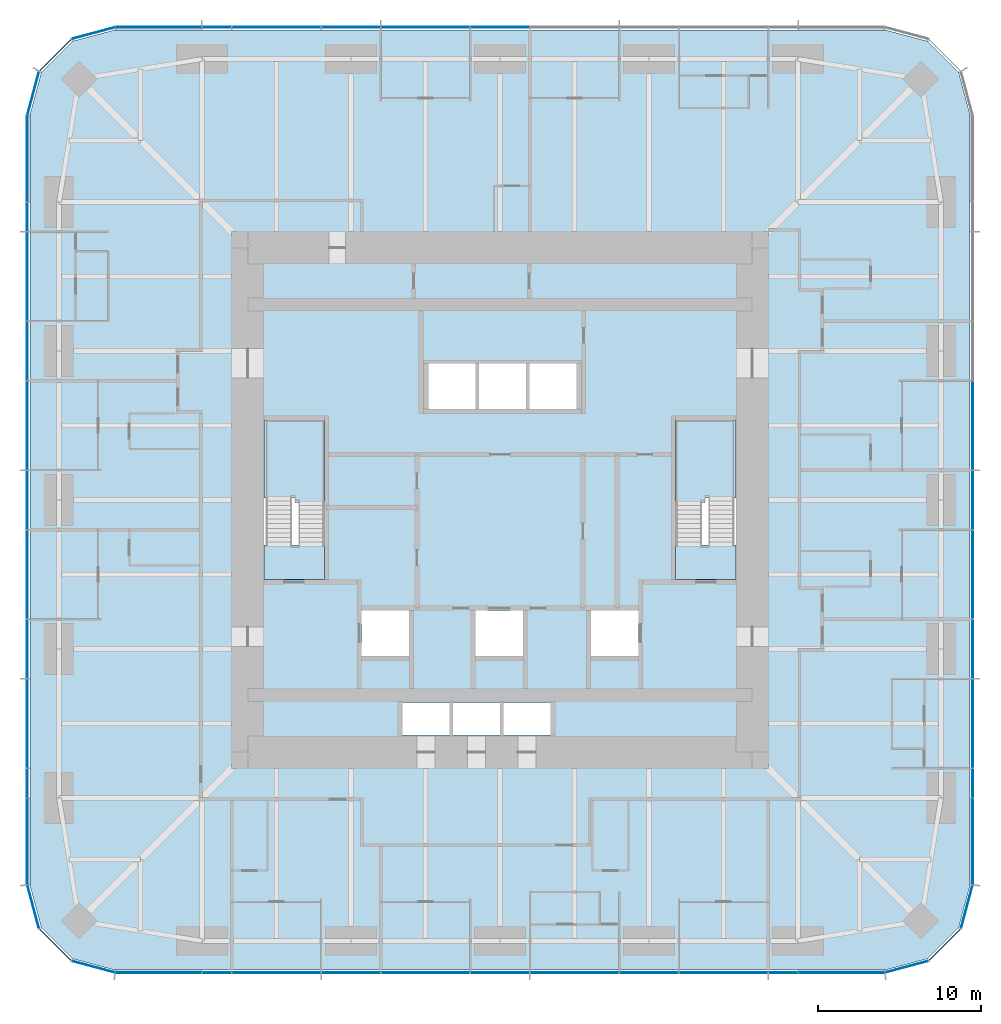
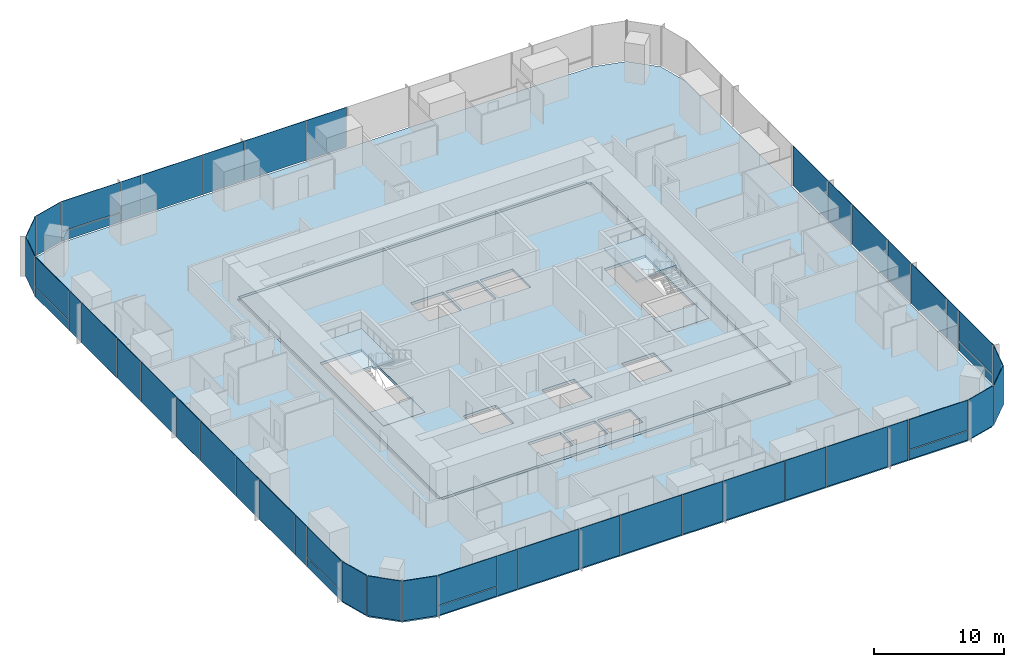
# One storey, part 7 of 13: 50 plates, 6 slabs, 9 elements without a shape of their own.
"""IFC4 building model written with IfcOpenShell, lengths in metres."""

from ifc_helpers import new_model, si_unit, direction, frame, origin, origin_2d, place, context, subcontext, project, spatial, polyline, rectangle, outline, extrude, material, layer, layer_set, type_object, element, aggregate, save


model = new_model("IFC4")

# Units and contexts
model_context = context("Model", 3, precision=1e-05, world=origin(), true_north=direction((0.0, 1.0)))
body_context = subcontext(model_context, "Body", "Model", "MODEL_VIEW")
ifc_project = project(units=[si_unit("LENGTHUNIT", "METRE"), si_unit("AREAUNIT", "SQUARE_METRE"), si_unit("VOLUMEUNIT", "CUBIC_METRE"), si_unit("PLANEANGLEUNIT", "RADIAN"), si_unit("MASSUNIT", "GRAM", prefix="KILO")], contexts=[model_context])

# Site, building, storey
site_placement = place(None, origin())
site = spatial("IfcSite", under=ifc_project, at=site_placement, CompositionType="ELEMENT")
building_placement = place(site_placement, origin())
building = spatial("IfcBuilding", under=site, at=building_placement, Name="Khuree Lantern Residences", CompositionType="ELEMENT")
storey_placement = place(building_placement, frame((0.0, 0.0, 133.5)))
storey = spatial("IfcBuildingStorey", under=building, at=storey_placement, Name="L33", CompositionType="ELEMENT", Elevation=133.5)

# Slab
ifc_material_1 = material(Name="Concrete C35/45", Category="concrete")
ifc_layer_1 = layer(ifc_material_1, 0.25)
ifc_layer_set_1 = layer_set([ifc_layer_1], Name="CFL250 CORE FLOOR SLAB 250")
slab_type_1 = type_object("IfcSlabType", Name="CFL250 CORE FLOOR SLAB 250", PredefinedType="FLOOR", material=ifc_layer_set_1)
slab_1_placement = place(storey_placement, frame((0.0, 0.0, -0.25)))
element("IfcSlab", 1, at=slab_1_placement, inside=storey, type_object=slab_type_1, Name="Core floor L33", PredefinedType="FLOOR", context=body_context, shape_type="SweptSolid", body=[
    extrude(outline(polyline([(-15.5, -15.5), (-15.5, 15.5), (15.5, 15.5), (15.5, -15.5), (-15.5, -15.5)]), holes=[polyline([(10.800048828125, 4.89990234375), (10.800048828125, -4.89990234375), (14.5, -4.89990234375), (14.5, 4.89990234375), (10.800048828125, 4.89990234375)]), polyline([(8.5, -6.800048828125), (5.60009765625, -6.800048828125), (5.60009765625, -9.60009765625), (8.5, -9.60009765625), (8.5, -6.800048828125)]), polyline([(4.699951171875, 8.39990234375), (1.800048828125, 8.39990234375), (1.800048828125, 5.60009765625), (4.699951171875, 5.60009765625), (4.699951171875, 8.39990234375)]), polyline([(3.10009765625, -12.449951171875), (0.199951171875, -12.449951171875), (0.199951171875, -14.449951171875), (3.10009765625, -14.449951171875), (3.10009765625, -12.449951171875)]), polyline([(1.60009765625, 8.39990234375), (-1.300048828125, 8.39990234375), (-1.300048828125, 5.60009765625), (1.60009765625, 5.60009765625), (1.60009765625, 8.39990234375)]), polyline([(1.39990234375, -6.800048828125), (-1.5, -6.800048828125), (-1.5, -9.60009765625), (1.39990234375, -9.60009765625), (1.39990234375, -6.800048828125)]), polyline([(-2.89990234375, -12.449951171875), (-2.89990234375, -14.449951171875), (0.0, -14.449951171875), (0.0, -12.449951171875), (-2.89990234375, -12.449951171875)]), polyline([(-4.39990234375, 8.39990234375), (-4.39990234375, 5.60009765625), (-1.5, 5.60009765625), (-1.5, 8.39990234375), (-4.39990234375, 8.39990234375)]), polyline([(-6.0, -12.449951171875), (-6.0, -14.449951171875), (-3.10009765625, -14.449951171875), (-3.10009765625, -12.449951171875), (-6.0, -12.449951171875)]), polyline([(-8.5, -6.800048828125), (-8.5, -9.60009765625), (-5.60009765625, -9.60009765625), (-5.60009765625, -6.800048828125), (-8.5, -6.800048828125)]), polyline([(-10.800048828125, 4.89990234375), (-14.5, 4.89990234375), (-14.5, -4.89990234375), (-10.800048828125, -4.89990234375), (-10.800048828125, 4.89990234375)])]), origin(), (0.0, 0.0, 1.0), 0.25),
])

# Curtain wall, plates
ifc_material_2 = material(Name="Bronze anodised aluminium", Category="aluminium")
curtain_wall_type_1 = type_object("IfcCurtainWallType", Name="CW-T2 TOWER CORNER CURTAIN WALL", PredefinedType="USERDEFINED", material=ifc_material_2)
curtain_wall_1_placement = place(storey_placement, origin())
curtain_wall_1 = element("IfcCurtainWall", 2, at=curtain_wall_1_placement, inside=storey, type_object=curtain_wall_type_1, Name="L33 SOUTH-EAST CORNER CURTAIN WALL", ObjectType="Faceted corner curtain wall", PredefinedType="USERDEFINED")
ifc_material_3 = material(Name="Bronze tinted triple glazing", Category="glass")
ifc_layer_2 = layer(ifc_material_3, 0.048095703125)
ifc_layer_set_2 = layer_set([ifc_layer_2], Name="FACET PANEL P4")
plate_type_1 = type_object("IfcPlateType", Name="FACET PANEL P4", PredefinedType="CURTAIN_PANEL", material=ifc_layer_set_2)
plate_1_placement = place(storey_placement, frame((24.998046875, -28.688720703125, 0.0), z_axis=(0.0, 0.0, 1.0), x_axis=(0.965925810153, 0.258819105321, 0.0)))
plate_1 = element("IfcPlate", 3, at=plate_1_placement, type_object=plate_type_1, Name="L33 SOUTH-EAST CORNER PANEL 1.1", PredefinedType="CURTAIN_PANEL", context=body_context, shape_type="SweptSolid", body=[
    extrude(rectangle(XDim=2.71923828125, YDim=0.048095703125, at=origin_2d()), origin(), (0.0, 0.0, 1.0), 3.75),
])
plate_2_placement = place(storey_placement, frame((27.33837890625, -27.33837890625, 0.0), z_axis=(0.0, 0.0, 1.0), x_axis=(0.707106781187, 0.707106781187, 0.0)))
plate_2 = element("IfcPlate", 4, at=plate_2_placement, type_object=plate_type_1, Name="L33 SOUTH-EAST CORNER PANEL 2.1", PredefinedType="CURTAIN_PANEL", context=body_context, shape_type="SweptSolid", body=[
    extrude(rectangle(XDim=2.715087890625, YDim=0.048095703125, at=origin_2d()), origin(), (0.0, 0.0, 1.0), 3.75),
])
plate_3_placement = place(storey_placement, frame((28.688720703125, -24.998046875, 0.0), z_axis=(0.0, 0.0, 1.0), x_axis=(0.258819105321, 0.965925810153, 0.0)))
plate_3 = element("IfcPlate", 5, at=plate_3_placement, type_object=plate_type_1, Name="L33 SOUTH-EAST CORNER PANEL 3.1", PredefinedType="CURTAIN_PANEL", context=body_context, shape_type="SweptSolid", body=[
    extrude(rectangle(XDim=2.71923828125, YDim=0.048095703125, at=origin_2d()), origin(), (0.0, 0.0, 1.0), 3.75),
])
aggregate(curtain_wall_1, [plate_1, plate_2, plate_3])

curtain_wall_2_placement = place(storey_placement, origin())
curtain_wall_2 = element("IfcCurtainWall", 6, at=curtain_wall_2_placement, inside=storey, type_object=curtain_wall_type_1, Name="L33 NORTH-WEST CORNER CURTAIN WALL", ObjectType="Faceted corner curtain wall", PredefinedType="USERDEFINED")
plate_4_placement = place(storey_placement, frame((-24.998046875, 28.688720703125, 0.0), z_axis=(0.0, 0.0, 1.0), x_axis=(-0.965925810153, -0.258819105321, 0.0)))
plate_4 = element("IfcPlate", 7, at=plate_4_placement, type_object=plate_type_1, Name="L33 NORTH-WEST CORNER PANEL 29.1", PredefinedType="CURTAIN_PANEL", context=body_context, shape_type="SweptSolid", body=[
    extrude(rectangle(XDim=2.71923828125, YDim=0.048095703125, at=origin_2d()), origin(), (0.0, 0.0, 1.0), 3.75),
])
plate_5_placement = place(storey_placement, frame((-27.33837890625, 27.33837890625, 0.0), z_axis=(0.0, 0.0, 1.0), x_axis=(-0.707106781187, -0.707106781187, 0.0)))
plate_5 = element("IfcPlate", 8, at=plate_5_placement, type_object=plate_type_1, Name="L33 NORTH-WEST CORNER PANEL 30.1", PredefinedType="CURTAIN_PANEL", context=body_context, shape_type="SweptSolid", body=[
    extrude(rectangle(XDim=2.715087890625, YDim=0.048095703125, at=origin_2d()), origin(), (0.0, 0.0, 1.0), 3.75),
])
plate_6_placement = place(storey_placement, frame((-28.688720703125, 24.998046875, 0.0), z_axis=(0.0, 0.0, 1.0), x_axis=(-0.258819105321, -0.965925810153, 0.0)))
plate_6 = element("IfcPlate", 9, at=plate_6_placement, type_object=plate_type_1, Name="L33 NORTH-WEST CORNER PANEL 31.1", PredefinedType="CURTAIN_PANEL", context=body_context, shape_type="SweptSolid", body=[
    extrude(rectangle(XDim=2.71923828125, YDim=0.048095703125, at=origin_2d()), origin(), (0.0, 0.0, 1.0), 3.75),
])
aggregate(curtain_wall_2, [plate_4, plate_5, plate_6])

curtain_wall_3_placement = place(storey_placement, origin())
curtain_wall_3 = element("IfcCurtainWall", 10, at=curtain_wall_3_placement, inside=storey, type_object=curtain_wall_type_1, Name="L33 SOUTH-WEST CORNER CURTAIN WALL", ObjectType="Faceted corner curtain wall", PredefinedType="USERDEFINED")
plate_7_placement = place(storey_placement, frame((-28.688720703125, -24.998046875, 0.0), z_axis=(0.0, 0.0, 1.0), x_axis=(0.258819105321, -0.965925810153, 0.0)))
plate_7 = element("IfcPlate", 11, at=plate_7_placement, type_object=plate_type_1, Name="L33 SOUTH-WEST CORNER PANEL 43.1", PredefinedType="CURTAIN_PANEL", context=body_context, shape_type="SweptSolid", body=[
    extrude(rectangle(XDim=2.71923828125, YDim=0.048095703125, at=origin_2d()), origin(), (0.0, 0.0, 1.0), 3.75),
])
plate_8_placement = place(storey_placement, frame((-27.33837890625, -27.33837890625, 0.0), z_axis=(0.0, 0.0, 1.0), x_axis=(0.707106781187, -0.707106781187, 0.0)))
plate_8 = element("IfcPlate", 12, at=plate_8_placement, type_object=plate_type_1, Name="L33 SOUTH-WEST CORNER PANEL 44.1", PredefinedType="CURTAIN_PANEL", context=body_context, shape_type="SweptSolid", body=[
    extrude(rectangle(XDim=2.715087890625, YDim=0.048095703125, at=origin_2d()), origin(), (0.0, 0.0, 1.0), 3.75),
])
plate_9_placement = place(storey_placement, frame((-24.998046875, -28.688720703125, 0.0), z_axis=(0.0, 0.0, 1.0), x_axis=(0.965925810153, -0.258819105321, 0.0)))
plate_9 = element("IfcPlate", 13, at=plate_9_placement, type_object=plate_type_1, Name="L33 SOUTH-WEST CORNER PANEL 45.1", PredefinedType="CURTAIN_PANEL", context=body_context, shape_type="SweptSolid", body=[
    extrude(rectangle(XDim=2.71923828125, YDim=0.048095703125, at=origin_2d()), origin(), (0.0, 0.0, 1.0), 3.75),
])
aggregate(curtain_wall_3, [plate_7, plate_8, plate_9])

curtain_wall_type_2 = type_object("IfcCurtainWallType", Name="CW-T1 TOWER FACE CURTAIN WALL", PredefinedType="USERDEFINED", material=ifc_material_2)
curtain_wall_4_placement = place(storey_placement, origin())
curtain_wall_4 = element("IfcCurtainWall", 14, at=curtain_wall_4_placement, inside=storey, type_object=curtain_wall_type_2, Name="L33 EAST FACE CURTAIN WALL", ObjectType="Stick-built curtain wall", PredefinedType="USERDEFINED")
ifc_material_4 = material(Name="Bronze tinted triple glazing with a ceramic-fritted spandrel band", Category="glass")
ifc_layer_3 = layer(ifc_material_4, 0.048095703125)
ifc_layer_set_3 = layer_set([ifc_layer_3], Name="FIXED LIGHT PANEL P11")
plate_type_2 = type_object("IfcPlateType", Name="FIXED LIGHT PANEL P11", PredefinedType="CURTAIN_PANEL", material=ifc_layer_set_3)
plate_10_placement = place(storey_placement, frame((29.050048828125, -13.739990234375, 0.0), z_axis=(0.0, 0.0, 1.0), x_axis=(0.0, 1.0, 0.0)))
plate_10 = element("IfcPlate", 15, at=plate_10_placement, type_object=plate_type_2, Name="L33 EAST FACE PANEL 6.1", PredefinedType="CURTAIN_PANEL", context=body_context, shape_type="SweptSolid", body=[
    extrude(rectangle(XDim=5.430908203125, YDim=0.048095703125, at=origin_2d()), origin(), (0.0, 0.0, 1.0), 3.75),
])
plate_11_placement = place(storey_placement, frame((29.050048828125, -4.580078125, 0.0), z_axis=(0.0, 0.0, 1.0), x_axis=(0.0, 1.0, 0.0)))
plate_11 = element("IfcPlate", 16, at=plate_11_placement, type_object=plate_type_2, Name="L33 EAST FACE PANEL 8.1", PredefinedType="CURTAIN_PANEL", context=body_context, shape_type="SweptSolid", body=[
    extrude(rectangle(XDim=5.430908203125, YDim=0.048095703125, at=origin_2d()), origin(), (0.0, 0.0, 1.0), 3.75),
])
plate_12_placement = place(storey_placement, frame((29.050048828125, 4.580078125, 0.0), z_axis=(0.0, 0.0, 1.0), x_axis=(0.0, 1.0, 0.0)))
plate_12 = element("IfcPlate", 17, at=plate_12_placement, type_object=plate_type_2, Name="L33 EAST FACE PANEL 10.1", PredefinedType="CURTAIN_PANEL", context=body_context, shape_type="SweptSolid", body=[
    extrude(rectangle(XDim=5.430908203125, YDim=0.048095703125, at=origin_2d()), origin(), (0.0, 0.0, 1.0), 3.75),
])

curtain_wall_5_placement = place(storey_placement, origin())
curtain_wall_5 = element("IfcCurtainWall", 18, at=curtain_wall_5_placement, inside=storey, type_object=curtain_wall_type_2, Name="L33 NORTH FACE CURTAIN WALL", ObjectType="Stick-built curtain wall", PredefinedType="USERDEFINED")
plate_13_placement = place(storey_placement, frame((-4.580078125, 29.050048828125, 0.0), z_axis=(0.0, 0.0, 1.0), x_axis=(-1.0, 0.0, 0.0)))
plate_13 = element("IfcPlate", 19, at=plate_13_placement, type_object=plate_type_2, Name="L33 NORTH FACE PANEL 24.1", PredefinedType="CURTAIN_PANEL", context=body_context, shape_type="SweptSolid", body=[
    extrude(rectangle(XDim=5.430908203125, YDim=0.048095703125, at=origin_2d()), origin(), (0.0, 0.0, 1.0), 3.75),
])
plate_14_placement = place(storey_placement, frame((-13.739990234375, 29.050048828125, 0.0), z_axis=(0.0, 0.0, 1.0), x_axis=(-1.0, 0.0, 0.0)))
plate_14 = element("IfcPlate", 20, at=plate_14_placement, type_object=plate_type_2, Name="L33 NORTH FACE PANEL 26.1", PredefinedType="CURTAIN_PANEL", context=body_context, shape_type="SweptSolid", body=[
    extrude(rectangle(XDim=5.430908203125, YDim=0.048095703125, at=origin_2d()), origin(), (0.0, 0.0, 1.0), 3.75),
])

curtain_wall_6_placement = place(storey_placement, origin())
curtain_wall_6 = element("IfcCurtainWall", 21, at=curtain_wall_6_placement, inside=storey, type_object=curtain_wall_type_2, Name="L33 WEST FACE CURTAIN WALL", ObjectType="Stick-built curtain wall", PredefinedType="USERDEFINED")
plate_15_placement = place(storey_placement, frame((-29.050048828125, 13.739990234375, 0.0), z_axis=(0.0, 0.0, 1.0), x_axis=(0.0, -1.0, 0.0)))
plate_15 = element("IfcPlate", 22, at=plate_15_placement, type_object=plate_type_2, Name="L33 WEST FACE PANEL 34.1", PredefinedType="CURTAIN_PANEL", context=body_context, shape_type="SweptSolid", body=[
    extrude(rectangle(XDim=5.430908203125, YDim=0.048095703125, at=origin_2d()), origin(), (0.0, 0.0, 1.0), 3.75),
])
plate_16_placement = place(storey_placement, frame((-29.050048828125, 4.580078125, 0.0), z_axis=(0.0, 0.0, 1.0), x_axis=(0.0, -1.0, 0.0)))
plate_16 = element("IfcPlate", 23, at=plate_16_placement, type_object=plate_type_2, Name="L33 WEST FACE PANEL 36.1", PredefinedType="CURTAIN_PANEL", context=body_context, shape_type="SweptSolid", body=[
    extrude(rectangle(XDim=5.430908203125, YDim=0.048095703125, at=origin_2d()), origin(), (0.0, 0.0, 1.0), 3.75),
])
plate_17_placement = place(storey_placement, frame((-29.050048828125, -4.580078125, 0.0), z_axis=(0.0, 0.0, 1.0), x_axis=(0.0, -1.0, 0.0)))
plate_17 = element("IfcPlate", 24, at=plate_17_placement, type_object=plate_type_2, Name="L33 WEST FACE PANEL 38.1", PredefinedType="CURTAIN_PANEL", context=body_context, shape_type="SweptSolid", body=[
    extrude(rectangle(XDim=5.430908203125, YDim=0.048095703125, at=origin_2d()), origin(), (0.0, 0.0, 1.0), 3.75),
])
plate_18_placement = place(storey_placement, frame((-29.050048828125, -13.739990234375, 0.0), z_axis=(0.0, 0.0, 1.0), x_axis=(0.0, -1.0, 0.0)))
plate_18 = element("IfcPlate", 25, at=plate_18_placement, type_object=plate_type_2, Name="L33 WEST FACE PANEL 40.1", PredefinedType="CURTAIN_PANEL", context=body_context, shape_type="SweptSolid", body=[
    extrude(rectangle(XDim=5.430908203125, YDim=0.048095703125, at=origin_2d()), origin(), (0.0, 0.0, 1.0), 3.75),
])

curtain_wall_7_placement = place(storey_placement, origin())
curtain_wall_7 = element("IfcCurtainWall", 26, at=curtain_wall_7_placement, inside=storey, type_object=curtain_wall_type_2, Name="L33 SOUTH FACE CURTAIN WALL", ObjectType="Stick-built curtain wall", PredefinedType="USERDEFINED")
plate_19_placement = place(storey_placement, frame((-13.739990234375, -29.050048828125, 0.0), z_axis=(0.0, 0.0, 1.0), x_axis=(1.0, 0.0, 0.0)))
plate_19 = element("IfcPlate", 27, at=plate_19_placement, type_object=plate_type_2, Name="L33 SOUTH FACE PANEL 48.1", PredefinedType="CURTAIN_PANEL", context=body_context, shape_type="SweptSolid", body=[
    extrude(rectangle(XDim=5.430908203125, YDim=0.048095703125, at=origin_2d()), origin(), (0.0, 0.0, 1.0), 3.75),
])
plate_20_placement = place(storey_placement, frame((-4.580078125, -29.050048828125, 0.0), z_axis=(0.0, 0.0, 1.0), x_axis=(1.0, 0.0, 0.0)))
plate_20 = element("IfcPlate", 28, at=plate_20_placement, type_object=plate_type_2, Name="L33 SOUTH FACE PANEL 50.1", PredefinedType="CURTAIN_PANEL", context=body_context, shape_type="SweptSolid", body=[
    extrude(rectangle(XDim=5.430908203125, YDim=0.048095703125, at=origin_2d()), origin(), (0.0, 0.0, 1.0), 3.75),
])
plate_21_placement = place(storey_placement, frame((4.580078125, -29.050048828125, 0.0), z_axis=(0.0, 0.0, 1.0), x_axis=(1.0, 0.0, 0.0)))
plate_21 = element("IfcPlate", 29, at=plate_21_placement, type_object=plate_type_2, Name="L33 SOUTH FACE PANEL 52.1", PredefinedType="CURTAIN_PANEL", context=body_context, shape_type="SweptSolid", body=[
    extrude(rectangle(XDim=5.430908203125, YDim=0.048095703125, at=origin_2d()), origin(), (0.0, 0.0, 1.0), 3.75),
])
plate_22_placement = place(storey_placement, frame((13.739990234375, -29.050048828125, 0.0), z_axis=(0.0, 0.0, 1.0), x_axis=(1.0, 0.0, 0.0)))
plate_22 = element("IfcPlate", 30, at=plate_22_placement, type_object=plate_type_2, Name="L33 SOUTH FACE PANEL 54.1", PredefinedType="CURTAIN_PANEL", context=body_context, shape_type="SweptSolid", body=[
    extrude(rectangle(XDim=5.430908203125, YDim=0.048095703125, at=origin_2d()), origin(), (0.0, 0.0, 1.0), 3.75),
])

# Slab
ifc_layer_4 = layer(ifc_material_1, 0.25)
ifc_layer_set_4 = layer_set([ifc_layer_4], Name="FS250 FLOOR SLAB 250")
slab_type_2 = type_object("IfcSlabType", Name="FS250 FLOOR SLAB 250", PredefinedType="FLOOR", material=ifc_layer_set_4)
slab_2_placement = place(storey_placement, frame((0.0, 0.0, -0.25)))
element("IfcSlab", 31, at=slab_2_placement, inside=storey, type_object=slab_type_2, Name="Floor slab L33", PredefinedType="FLOOR", context=body_context, shape_type="SweptSolid", body=[
    extrude(outline(polyline([(-26.27490234375, -28.196533203125), (-28.196533203125, -26.27490234375), (-28.89990234375, -23.64990234375), (-28.89990234375, 23.64990234375), (-28.196533203125, 26.27490234375), (-26.27490234375, 28.196533203125), (-23.64990234375, 28.89990234375), (23.64990234375, 28.89990234375), (26.27490234375, 28.196533203125), (28.196533203125, 26.27490234375), (28.89990234375, 23.64990234375), (28.89990234375, -23.64990234375), (28.196533203125, -26.27490234375), (26.27490234375, -28.196533203125), (23.64990234375, -28.89990234375), (-23.64990234375, -28.89990234375), (-26.27490234375, -28.196533203125)]), holes=[polyline([(15.75, 15.5), (15.5, 15.5), (15.5, 15.75), (-15.5, 15.75), (-15.5, 15.5), (-15.75, 15.5), (-15.75, -15.5), (-15.5, -15.5), (-15.5, -15.75), (15.5, -15.75), (15.5, -15.5), (15.75, -15.5), (15.75, 15.5)])]), origin(), (0.0, 0.0, 1.0), 0.25),
])

# Plate
ifc_material_5 = material(Name="Bronze tinted triple glazing, two aluminium-framed sashes in one frame", Category="aluminium")
ifc_layer_5 = layer(ifc_material_5, 0.048095703125)
ifc_layer_set_5 = layer_set([ifc_layer_5], Name="SASH PAIR PANEL P12")
plate_type_3 = type_object("IfcPlateType", Name="SASH PAIR PANEL P12", PredefinedType="CURTAIN_PANEL", material=ifc_layer_set_5)
plate_23_placement = place(storey_placement, frame((29.050048828125, -9.159912109375, 0.0), z_axis=(0.0, 0.0, 1.0), x_axis=(0.0, 1.0, 0.0)))
plate_23 = element("IfcPlate", 32, at=plate_23_placement, type_object=plate_type_3, Name="L33 EAST FACE PANEL 7.1", PredefinedType="CURTAIN_PANEL", context=body_context, shape_type="SweptSolid", body=[
    extrude(rectangle(XDim=3.59912109375, YDim=0.048095703125, at=origin_2d()), origin(), (0.0, 0.0, 1.0), 3.75),
])

plate_24_placement = place(storey_placement, frame((29.050048828125, 0.0, 0.0), z_axis=(0.0, 0.0, 1.0), x_axis=(0.0, 1.0, 0.0)))
plate_24 = element("IfcPlate", 33, at=plate_24_placement, type_object=plate_type_3, Name="L33 EAST FACE PANEL 9.1", PredefinedType="CURTAIN_PANEL", context=body_context, shape_type="SweptSolid", body=[
    extrude(rectangle(XDim=3.59912109375, YDim=0.048095703125, at=origin_2d()), origin(), (0.0, 0.0, 1.0), 3.75),
])

plate_25_placement = place(storey_placement, frame((0.0, 29.050048828125, 0.0), z_axis=(0.0, 0.0, 1.0), x_axis=(-1.0, 0.0, 0.0)))
plate_25 = element("IfcPlate", 34, at=plate_25_placement, type_object=plate_type_3, Name="L33 NORTH FACE PANEL 23.1", PredefinedType="CURTAIN_PANEL", context=body_context, shape_type="SweptSolid", body=[
    extrude(rectangle(XDim=3.59912109375, YDim=0.048095703125, at=origin_2d()), origin(), (0.0, 0.0, 1.0), 3.75),
])

plate_26_placement = place(storey_placement, frame((-9.159912109375, 29.050048828125, 0.0), z_axis=(0.0, 0.0, 1.0), x_axis=(-1.0, 0.0, 0.0)))
plate_26 = element("IfcPlate", 35, at=plate_26_placement, type_object=plate_type_3, Name="L33 NORTH FACE PANEL 25.1", PredefinedType="CURTAIN_PANEL", context=body_context, shape_type="SweptSolid", body=[
    extrude(rectangle(XDim=3.59912109375, YDim=0.048095703125, at=origin_2d()), origin(), (0.0, 0.0, 1.0), 3.75),
])

plate_27_placement = place(storey_placement, frame((-29.050048828125, 9.159912109375, 0.0), z_axis=(0.0, 0.0, 1.0), x_axis=(0.0, -1.0, 0.0)))
plate_27 = element("IfcPlate", 36, at=plate_27_placement, type_object=plate_type_3, Name="L33 WEST FACE PANEL 35.1", PredefinedType="CURTAIN_PANEL", context=body_context, shape_type="SweptSolid", body=[
    extrude(rectangle(XDim=3.59912109375, YDim=0.048095703125, at=origin_2d()), origin(), (0.0, 0.0, 1.0), 3.75),
])

plate_28_placement = place(storey_placement, frame((-29.050048828125, 0.0, 0.0), z_axis=(0.0, 0.0, 1.0), x_axis=(0.0, -1.0, 0.0)))
plate_28 = element("IfcPlate", 37, at=plate_28_placement, type_object=plate_type_3, Name="L33 WEST FACE PANEL 37.1", PredefinedType="CURTAIN_PANEL", context=body_context, shape_type="SweptSolid", body=[
    extrude(rectangle(XDim=3.59912109375, YDim=0.048095703125, at=origin_2d()), origin(), (0.0, 0.0, 1.0), 3.75),
])

plate_29_placement = place(storey_placement, frame((-29.050048828125, -9.159912109375, 0.0), z_axis=(0.0, 0.0, 1.0), x_axis=(0.0, -1.0, 0.0)))
plate_29 = element("IfcPlate", 38, at=plate_29_placement, type_object=plate_type_3, Name="L33 WEST FACE PANEL 39.1", PredefinedType="CURTAIN_PANEL", context=body_context, shape_type="SweptSolid", body=[
    extrude(rectangle(XDim=3.59912109375, YDim=0.048095703125, at=origin_2d()), origin(), (0.0, 0.0, 1.0), 3.75),
])

plate_30_placement = place(storey_placement, frame((-9.159912109375, -29.050048828125, 0.0), z_axis=(0.0, 0.0, 1.0), x_axis=(1.0, 0.0, 0.0)))
plate_30 = element("IfcPlate", 39, at=plate_30_placement, type_object=plate_type_3, Name="L33 SOUTH FACE PANEL 49.1", PredefinedType="CURTAIN_PANEL", context=body_context, shape_type="SweptSolid", body=[
    extrude(rectangle(XDim=3.59912109375, YDim=0.048095703125, at=origin_2d()), origin(), (0.0, 0.0, 1.0), 3.75),
])

plate_31_placement = place(storey_placement, frame((0.0, -29.050048828125, 0.0), z_axis=(0.0, 0.0, 1.0), x_axis=(1.0, 0.0, 0.0)))
plate_31 = element("IfcPlate", 40, at=plate_31_placement, type_object=plate_type_3, Name="L33 SOUTH FACE PANEL 51.1", PredefinedType="CURTAIN_PANEL", context=body_context, shape_type="SweptSolid", body=[
    extrude(rectangle(XDim=3.59912109375, YDim=0.048095703125, at=origin_2d()), origin(), (0.0, 0.0, 1.0), 3.75),
])

plate_32_placement = place(storey_placement, frame((9.159912109375, -29.050048828125, 0.0), z_axis=(0.0, 0.0, 1.0), x_axis=(1.0, 0.0, 0.0)))
plate_32 = element("IfcPlate", 41, at=plate_32_placement, type_object=plate_type_3, Name="L33 SOUTH FACE PANEL 53.1", PredefinedType="CURTAIN_PANEL", context=body_context, shape_type="SweptSolid", body=[
    extrude(rectangle(XDim=3.59912109375, YDim=0.048095703125, at=origin_2d()), origin(), (0.0, 0.0, 1.0), 3.75),
])

ifc_material_6 = material(Name="Bronze tinted triple glazing, aluminium-framed sash", Category="aluminium")
ifc_layer_6 = layer(ifc_material_6, 0.048095703125)
ifc_layer_set_6 = layer_set([ifc_layer_6], Name="SASH PANEL P3")
plate_type_4 = type_object("IfcPlateType", Name="SASH PANEL P3", PredefinedType="CURTAIN_PANEL", material=ifc_layer_set_6)
plate_33_placement = place(storey_placement, frame((29.050048828125, -17.404052734375, 0.0), z_axis=(0.0, 0.0, 1.0), x_axis=(0.0, 1.0, 0.0)))
plate_33 = element("IfcPlate", 42, at=plate_33_placement, type_object=plate_type_4, Name="L33 EAST FACE PANEL 5.1", PredefinedType="CURTAIN_PANEL", context=body_context, shape_type="SweptSolid", body=[
    extrude(rectangle(XDim=1.76708984375, YDim=0.048095703125, at=origin_2d()), origin(), (0.0, 0.0, 1.0), 3.75),
])

plate_34_placement = place(storey_placement, frame((-17.404052734375, 29.050048828125, 0.0), z_axis=(0.0, 0.0, 1.0), x_axis=(-1.0, 0.0, 0.0)))
plate_34 = element("IfcPlate", 43, at=plate_34_placement, type_object=plate_type_4, Name="L33 NORTH FACE PANEL 27.1", PredefinedType="CURTAIN_PANEL", context=body_context, shape_type="SweptSolid", body=[
    extrude(rectangle(XDim=1.76708984375, YDim=0.048095703125, at=origin_2d()), origin(), (0.0, 0.0, 1.0), 3.75),
])

plate_35_placement = place(storey_placement, frame((-29.050048828125, 17.404052734375, 0.0), z_axis=(0.0, 0.0, 1.0), x_axis=(0.0, -1.0, 0.0)))
plate_35 = element("IfcPlate", 44, at=plate_35_placement, type_object=plate_type_4, Name="L33 WEST FACE PANEL 33.1", PredefinedType="CURTAIN_PANEL", context=body_context, shape_type="SweptSolid", body=[
    extrude(rectangle(XDim=1.76708984375, YDim=0.048095703125, at=origin_2d()), origin(), (0.0, 0.0, 1.0), 3.75),
])

plate_36_placement = place(storey_placement, frame((-29.050048828125, -17.404052734375, 0.0), z_axis=(0.0, 0.0, 1.0), x_axis=(0.0, -1.0, 0.0)))
plate_36 = element("IfcPlate", 45, at=plate_36_placement, type_object=plate_type_4, Name="L33 WEST FACE PANEL 41.1", PredefinedType="CURTAIN_PANEL", context=body_context, shape_type="SweptSolid", body=[
    extrude(rectangle(XDim=1.76708984375, YDim=0.048095703125, at=origin_2d()), origin(), (0.0, 0.0, 1.0), 3.75),
])

plate_37_placement = place(storey_placement, frame((-17.404052734375, -29.050048828125, 0.0), z_axis=(0.0, 0.0, 1.0), x_axis=(1.0, 0.0, 0.0)))
plate_37 = element("IfcPlate", 46, at=plate_37_placement, type_object=plate_type_4, Name="L33 SOUTH FACE PANEL 47.1", PredefinedType="CURTAIN_PANEL", context=body_context, shape_type="SweptSolid", body=[
    extrude(rectangle(XDim=1.76708984375, YDim=0.048095703125, at=origin_2d()), origin(), (0.0, 0.0, 1.0), 3.75),
])

plate_38_placement = place(storey_placement, frame((17.404052734375, -29.050048828125, 0.0), z_axis=(0.0, 0.0, 1.0), x_axis=(1.0, 0.0, 0.0)))
plate_38 = element("IfcPlate", 47, at=plate_38_placement, type_object=plate_type_4, Name="L33 SOUTH FACE PANEL 55.1", PredefinedType="CURTAIN_PANEL", context=body_context, shape_type="SweptSolid", body=[
    extrude(rectangle(XDim=1.76708984375, YDim=0.048095703125, at=origin_2d()), origin(), (0.0, 0.0, 1.0), 3.75),
])

ifc_material_7 = material(Name="Bronze anodised aluminium insulated spandrel", Category="aluminium")
ifc_layer_7 = layer(ifc_material_7, 0.06005859375)
ifc_layer_set_7 = layer_set([ifc_layer_7], Name="SPANDREL PANEL P2")
plate_type_5 = type_object("IfcPlateType", Name="SPANDREL PANEL P2", PredefinedType="CURTAIN_PANEL", material=ifc_layer_set_7)
plate_39_placement = place(storey_placement, frame((29.050048828125, -20.98291015625, 0.0), z_axis=(0.0, 0.0, 1.0), x_axis=(0.0, 1.0, 0.0)))
plate_39 = element("IfcPlate", 48, at=plate_39_placement, type_object=plate_type_5, Name="L33 EAST FACE PANEL 4.1", PredefinedType="CURTAIN_PANEL", context=body_context, shape_type="SweptSolid", body=[
    extrude(rectangle(XDim=5.2607421875, YDim=0.06005859375, at=origin_2d()), origin(), (0.0, 0.0, 1.0), 0.867431640625),
])

plate_40_placement = place(storey_placement, frame((-20.98291015625, 29.050048828125, 0.0), z_axis=(0.0, 0.0, 1.0), x_axis=(-1.0, 0.0, 0.0)))
plate_40 = element("IfcPlate", 49, at=plate_40_placement, type_object=plate_type_5, Name="L33 NORTH FACE PANEL 28.1", PredefinedType="CURTAIN_PANEL", context=body_context, shape_type="SweptSolid", body=[
    extrude(rectangle(XDim=5.2607421875, YDim=0.06005859375, at=origin_2d()), origin(), (0.0, 0.0, 1.0), 0.867431640625),
])

plate_41_placement = place(storey_placement, frame((-29.050048828125, 20.98291015625, 0.0), z_axis=(0.0, 0.0, 1.0), x_axis=(0.0, -1.0, 0.0)))
plate_41 = element("IfcPlate", 50, at=plate_41_placement, type_object=plate_type_5, Name="L33 WEST FACE PANEL 32.1", PredefinedType="CURTAIN_PANEL", context=body_context, shape_type="SweptSolid", body=[
    extrude(rectangle(XDim=5.2607421875, YDim=0.06005859375, at=origin_2d()), origin(), (0.0, 0.0, 1.0), 0.867431640625),
])

plate_42_placement = place(storey_placement, frame((-29.050048828125, -20.98291015625, 0.0), z_axis=(0.0, 0.0, 1.0), x_axis=(0.0, -1.0, 0.0)))
plate_42 = element("IfcPlate", 51, at=plate_42_placement, type_object=plate_type_5, Name="L33 WEST FACE PANEL 42.1", PredefinedType="CURTAIN_PANEL", context=body_context, shape_type="SweptSolid", body=[
    extrude(rectangle(XDim=5.2607421875, YDim=0.06005859375, at=origin_2d()), origin(), (0.0, 0.0, 1.0), 0.867431640625),
])

plate_43_placement = place(storey_placement, frame((-20.98291015625, -29.050048828125, 0.0), z_axis=(0.0, 0.0, 1.0), x_axis=(1.0, 0.0, 0.0)))
plate_43 = element("IfcPlate", 52, at=plate_43_placement, type_object=plate_type_5, Name="L33 SOUTH FACE PANEL 46.1", PredefinedType="CURTAIN_PANEL", context=body_context, shape_type="SweptSolid", body=[
    extrude(rectangle(XDim=5.2607421875, YDim=0.06005859375, at=origin_2d()), origin(), (0.0, 0.0, 1.0), 0.867431640625),
])

plate_44_placement = place(storey_placement, frame((20.98291015625, -29.050048828125, 0.0), z_axis=(0.0, 0.0, 1.0), x_axis=(1.0, 0.0, 0.0)))
plate_44 = element("IfcPlate", 53, at=plate_44_placement, type_object=plate_type_5, Name="L33 SOUTH FACE PANEL 56.1", PredefinedType="CURTAIN_PANEL", context=body_context, shape_type="SweptSolid", body=[
    extrude(rectangle(XDim=5.2607421875, YDim=0.06005859375, at=origin_2d()), origin(), (0.0, 0.0, 1.0), 0.867431640625),
])

# Stair, slabs
ifc_material_8 = material(Name="Concrete C40/50", Category="concrete")
stair_type = type_object("IfcStairType", Name="STAIR ST1 HALF TURN 3600", PredefinedType="HALF_TURN_STAIR", material=ifc_material_8)
stair_1_placement = place(storey_placement, origin())
stair_1 = element("IfcStair", 54, at=stair_1_placement, inside=storey, type_object=stair_type, Name="Stair ST1", PredefinedType="HALF_TURN_STAIR")
ifc_layer_8 = layer(ifc_material_8, 0.199951171875)
ifc_layer_set_8 = layer_set([ifc_layer_8], Name="STAIR LANDING SL1 200")
slab_type_3 = type_object("IfcSlabType", Name="STAIR LANDING SL1 200", PredefinedType="LANDING", material=ifc_layer_set_8)
slab_3_placement = place(storey_placement, frame((0.0, 0.0, -0.199951171875)))
slab_3 = element("IfcSlab", 55, at=slab_3_placement, type_object=slab_type_3, Name="ST1 landing 1", PredefinedType="LANDING", context=body_context, shape_type="SweptSolid", body=[
    extrude(outline(polyline([(-14.5, -4.89990234375), (-10.800048828125, -4.89990234375), (-10.800048828125, -2.760009765625), (-14.5, -2.760009765625), (-14.5, -4.89990234375)])), origin(), (0.0, 0.0, 1.0), 0.199951171875),
])
slab_4_placement = place(storey_placement, frame((0.0, 0.0, 1.756591796875)))
slab_4 = element("IfcSlab", 56, at=slab_4_placement, type_object=slab_type_3, Name="ST1 landing 2", PredefinedType="LANDING", context=body_context, shape_type="SweptSolid", body=[
    extrude(outline(polyline([(-14.5, 0.1201171875), (-14.5, 4.89990234375), (-10.800048828125, 4.89990234375), (-10.800048828125, -0.159912109375), (-12.60009765625, -0.159912109375), (-12.60009765625, 0.1201171875), (-14.5, 0.1201171875)])), origin(), (0.0, 0.0, 1.0), 0.199951171875),
])
aggregate(stair_1, [slab_3, slab_4])

stair_2_placement = place(storey_placement, origin())
stair_2 = element("IfcStair", 57, at=stair_2_placement, inside=storey, type_object=stair_type, Name="Stair ST2", PredefinedType="HALF_TURN_STAIR")
slab_5_placement = place(storey_placement, frame((0.0, 0.0, -0.199951171875)))
slab_5 = element("IfcSlab", 58, at=slab_5_placement, type_object=slab_type_3, Name="ST2 landing 1", PredefinedType="LANDING", context=body_context, shape_type="SweptSolid", body=[
    extrude(outline(polyline([(10.800048828125, -4.89990234375), (14.5, -4.89990234375), (14.5, -2.760009765625), (10.800048828125, -2.760009765625), (10.800048828125, -4.89990234375)])), origin(), (0.0, 0.0, 1.0), 0.199951171875),
])
slab_6_placement = place(storey_placement, frame((0.0, 0.0, 1.756591796875)))
slab_6 = element("IfcSlab", 59, at=slab_6_placement, type_object=slab_type_3, Name="ST2 landing 2", PredefinedType="LANDING", context=body_context, shape_type="SweptSolid", body=[
    extrude(outline(polyline([(14.5, 4.89990234375), (14.5, 0.1201171875), (12.60009765625, 0.1201171875), (12.60009765625, -0.159912109375), (10.800048828125, -0.159912109375), (10.800048828125, 4.89990234375), (14.5, 4.89990234375)])), origin(), (0.0, 0.0, 1.0), 0.199951171875),
])
aggregate(stair_2, [slab_5, slab_6])

# Plate
ifc_layer_9 = layer(ifc_material_3, 0.048095703125)
ifc_layer_set_9 = layer_set([ifc_layer_9], Name="VISION PANEL P1")
plate_type_6 = type_object("IfcPlateType", Name="VISION PANEL P1", PredefinedType="CURTAIN_PANEL", material=ifc_layer_set_9)
plate_45_placement = place(storey_placement, frame((29.050048828125, -20.9833984375, 0.9326171875), z_axis=(0.0, 0.0, 1.0), x_axis=(0.0, 1.0, 0.0)))
plate_45 = element("IfcPlate", 60, at=plate_45_placement, type_object=plate_type_6, Name="L33 EAST FACE PANEL 4.2", PredefinedType="CURTAIN_PANEL", context=body_context, shape_type="SweptSolid", body=[
    extrude(rectangle(XDim=5.261474609375, YDim=0.048095703125, at=origin_2d()), origin(), (0.0, 0.0, 1.0), 2.8173828125),
])

aggregate(curtain_wall_4, [plate_39, plate_45, plate_33, plate_10, plate_23, plate_11, plate_24, plate_12])

plate_46_placement = place(storey_placement, frame((-20.9833984375, 29.050048828125, 0.9326171875), z_axis=(0.0, 0.0, 1.0), x_axis=(-1.0, 0.0, 0.0)))
plate_46 = element("IfcPlate", 61, at=plate_46_placement, type_object=plate_type_6, Name="L33 NORTH FACE PANEL 28.2", PredefinedType="CURTAIN_PANEL", context=body_context, shape_type="SweptSolid", body=[
    extrude(rectangle(XDim=5.261474609375, YDim=0.048095703125, at=origin_2d()), origin(), (0.0, 0.0, 1.0), 2.8173828125),
])

aggregate(curtain_wall_5, [plate_25, plate_13, plate_26, plate_14, plate_34, plate_40, plate_46])

plate_47_placement = place(storey_placement, frame((-29.050048828125, 20.9833984375, 0.9326171875), z_axis=(0.0, 0.0, 1.0), x_axis=(0.0, -1.0, 0.0)))
plate_47 = element("IfcPlate", 62, at=plate_47_placement, type_object=plate_type_6, Name="L33 WEST FACE PANEL 32.2", PredefinedType="CURTAIN_PANEL", context=body_context, shape_type="SweptSolid", body=[
    extrude(rectangle(XDim=5.261474609375, YDim=0.048095703125, at=origin_2d()), origin(), (0.0, 0.0, 1.0), 2.8173828125),
])

plate_48_placement = place(storey_placement, frame((-29.050048828125, -20.9833984375, 0.9326171875), z_axis=(0.0, 0.0, 1.0), x_axis=(0.0, -1.0, 0.0)))
plate_48 = element("IfcPlate", 63, at=plate_48_placement, type_object=plate_type_6, Name="L33 WEST FACE PANEL 42.2", PredefinedType="CURTAIN_PANEL", context=body_context, shape_type="SweptSolid", body=[
    extrude(rectangle(XDim=5.261474609375, YDim=0.048095703125, at=origin_2d()), origin(), (0.0, 0.0, 1.0), 2.8173828125),
])

aggregate(curtain_wall_6, [plate_41, plate_47, plate_35, plate_15, plate_27, plate_16, plate_28, plate_17, plate_29, plate_18, plate_36, plate_42, plate_48])

plate_49_placement = place(storey_placement, frame((-20.9833984375, -29.050048828125, 0.9326171875), z_axis=(0.0, 0.0, 1.0), x_axis=(1.0, 0.0, 0.0)))
plate_49 = element("IfcPlate", 64, at=plate_49_placement, type_object=plate_type_6, Name="L33 SOUTH FACE PANEL 46.2", PredefinedType="CURTAIN_PANEL", context=body_context, shape_type="SweptSolid", body=[
    extrude(rectangle(XDim=5.261474609375, YDim=0.048095703125, at=origin_2d()), origin(), (0.0, 0.0, 1.0), 2.8173828125),
])

plate_50_placement = place(storey_placement, frame((20.9833984375, -29.050048828125, 0.9326171875), z_axis=(0.0, 0.0, 1.0), x_axis=(1.0, 0.0, 0.0)))
plate_50 = element("IfcPlate", 65, at=plate_50_placement, type_object=plate_type_6, Name="L33 SOUTH FACE PANEL 56.2", PredefinedType="CURTAIN_PANEL", context=body_context, shape_type="SweptSolid", body=[
    extrude(rectangle(XDim=5.261474609375, YDim=0.048095703125, at=origin_2d()), origin(), (0.0, 0.0, 1.0), 2.8173828125),
])

aggregate(curtain_wall_7, [plate_43, plate_49, plate_37, plate_19, plate_30, plate_20, plate_31, plate_21, plate_32, plate_22, plate_38, plate_44, plate_50])

save(model, "model.ifc")
